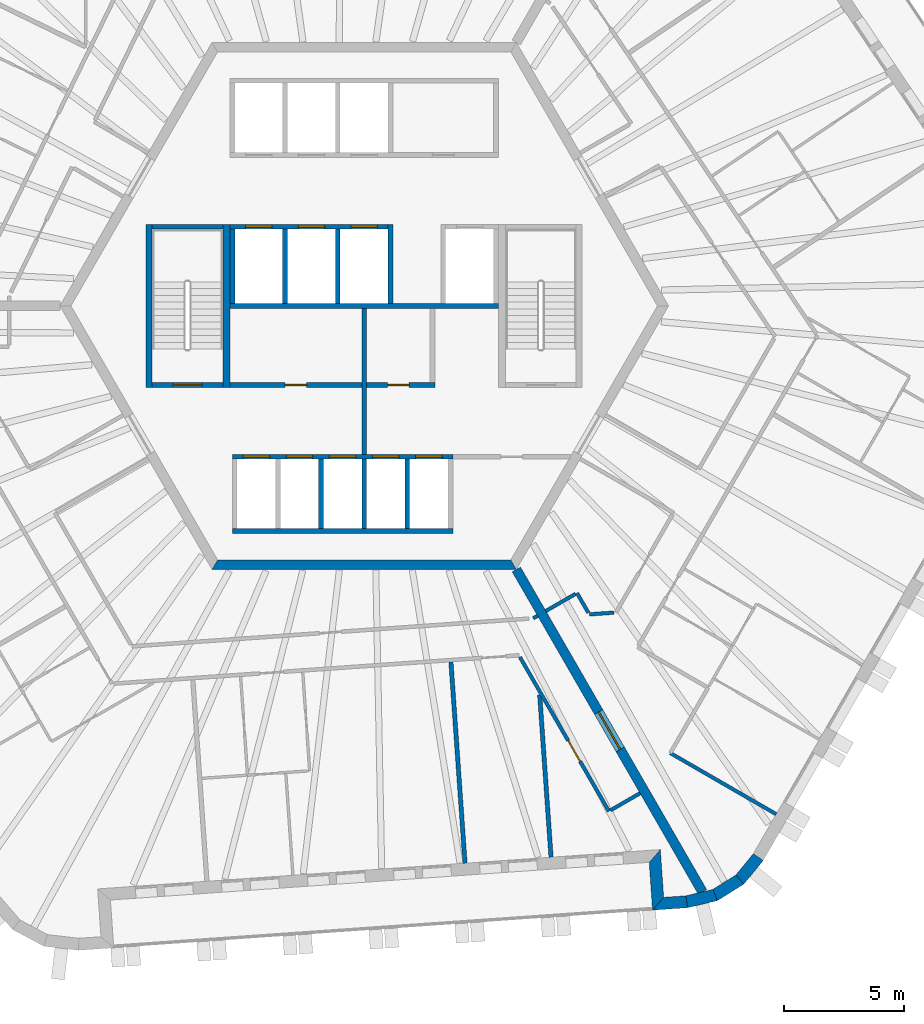
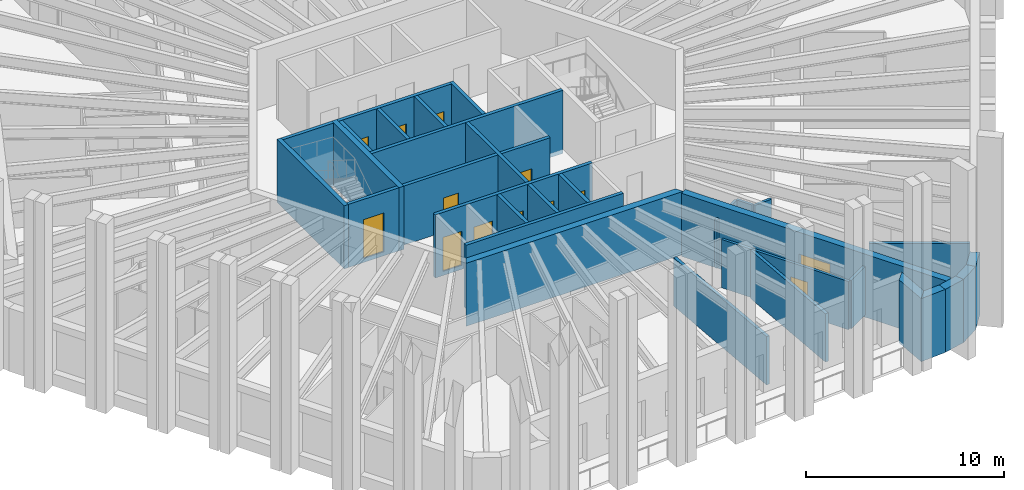
# One storey, part 5 of 13: 34 walls, 13 doors, 13 openings.
"""IFC4 building model written with IfcOpenShell, lengths in metres."""

from ifc_helpers import new_model, si_unit, direction, frame, frame_2d, origin, place, context, subcontext, project, spatial, polyline, rectangle, outline, extrude, material, layer, layer_set, type_object, element, fill, save


model = new_model("IFC4")

# Units and contexts
model_context = context("Model", 3, precision=1e-05, world=origin(), true_north=direction((0.0, 1.0)))
body_context = subcontext(model_context, "Body", "Model", "MODEL_VIEW")
ifc_project = project(units=[si_unit("LENGTHUNIT", "METRE"), si_unit("AREAUNIT", "SQUARE_METRE"), si_unit("VOLUMEUNIT", "CUBIC_METRE"), si_unit("PLANEANGLEUNIT", "RADIAN"), si_unit("MASSUNIT", "GRAM", prefix="KILO")], contexts=[model_context])

# Site, building, storey
site_placement = place(None, origin())
site = spatial("IfcSite", under=ifc_project, at=site_placement, CompositionType="ELEMENT")
building_placement = place(site_placement, origin())
building = spatial("IfcBuilding", under=site, at=building_placement, Name="Tarnside Tower", CompositionType="ELEMENT")
storey_placement = place(building_placement, frame((0.0, 0.0, 303.0)))
storey = spatial("IfcBuildingStorey", under=building, at=storey_placement, Name="L73", CompositionType="ELEMENT", Elevation=303.0)

# Wall, opening, door
ifc_material_1 = material(Name="Concrete C40/50", Category="concrete")
ifc_layer_1 = layer(ifc_material_1, 0.199951171875)
ifc_layer_set_1 = layer_set([ifc_layer_1], Name="Core room partition 200 C40/50")
wall_type_1 = type_object("IfcWallType", Name="Core room partition 200 C40/50", PredefinedType="PARTITIONING", material=ifc_layer_set_1)
wall_1_placement = place(storey_placement, frame((-5.60009765625, -3.300048828125, 0.0), z_axis=(0.0, 0.0, 1.0), x_axis=(1.0, 0.0, 0.0)))
wall_1 = element("IfcWall", 1, at=wall_1_placement, inside=storey, type_object=wall_type_1, Name="L73 core partition W3", PredefinedType="PARTITIONING", context=body_context, shape_type="SweptSolid", body=[
    extrude(rectangle(XDim=5.5, YDim=0.199951171875, at=frame_2d((2.75, 0.0))), origin(), (0.0, 0.0, 1.0), 3.64990234375),
])
opening_1_placement = place(wall_1_placement, frame((2.300048828125, 0.0, 0.0)))
opening_1 = element("IfcOpeningElement", 2, at=opening_1_placement, cuts=wall_1, Name="Opening CD-room", PredefinedType="OPENING", context=body_context, shape_type="SweptSolid", body=[
    extrude(rectangle(XDim=0.89990234375, YDim=2.10009765625, at=frame_2d((0.449951171875, 1.050048828125))), frame((0.0, 0.10986328125, 0.0), z_axis=(0.0, -1.0, 0.0), x_axis=(1.0, 0.0, 0.0)), (0.0, 0.0, 1.0), 0.219970703125),
])
ifc_material_2 = material(Name="Steel fire door", Category="steel")
door_type_1 = type_object("IfcDoorType", Name="Room door FD60 900x2100", OperationType="NOTDEFINED", PredefinedType="DOOR", material=ifc_material_2)
door_1_placement = place(opening_1_placement, origin())
door_1 = element("IfcDoor", 3, at=door_1_placement, inside=storey, type_object=door_type_1, Name="L73 core room door W3D", OperationType="SINGLE_SWING_LEFT", OverallHeight=2.10009765625, OverallWidth=0.89990234375, PredefinedType="DOOR", context=body_context, shape_type="SweptSolid", body=[
    extrude(rectangle(XDim=0.89990234375, YDim=2.10009765625, at=frame_2d((0.449951171875, 1.050048828125))), frame((0.0, 0.02490234375, 0.0), z_axis=(0.0, -1.0, 0.0), x_axis=(1.0, 0.0, 0.0)), (0.0, 0.0, 1.0), 0.050048828125),
])
fill(opening_1, door_1)

wall_2_placement = place(storey_placement, frame((0.10009765625, -3.300048828125, 0.0), z_axis=(0.0, 0.0, 1.0), x_axis=(1.0, 0.0, 0.0)))
wall_2 = element("IfcWall", 4, at=wall_2_placement, inside=storey, type_object=wall_type_1, Name="L73 core partition R3S1", PredefinedType="PARTITIONING", context=body_context, shape_type="SweptSolid", body=[
    extrude(rectangle(XDim=2.849853515625, YDim=0.199951171875, at=frame_2d((1.4248046875, 0.0))), origin(), (0.0, 0.0, 1.0), 3.64990234375),
])
opening_2_placement = place(wall_2_placement, frame((0.875, 0.0, 0.0)))
opening_2 = element("IfcOpeningElement", 5, at=opening_2_placement, cuts=wall_2, Name="Opening CD-room", PredefinedType="OPENING", context=body_context, shape_type="SweptSolid", body=[
    extrude(rectangle(XDim=0.89990234375, YDim=2.10009765625, at=frame_2d((0.449951171875, 1.050048828125))), frame((0.0, 0.10986328125, 0.0), z_axis=(0.0, -1.0, 0.0), x_axis=(1.0, 0.0, 0.0)), (0.0, 0.0, 1.0), 0.219970703125),
])
door_2_placement = place(opening_2_placement, origin())
door_2 = element("IfcDoor", 6, at=door_2_placement, inside=storey, type_object=door_type_1, Name="L73 core room door SR1", OperationType="SINGLE_SWING_LEFT", OverallHeight=2.10009765625, OverallWidth=0.89990234375, PredefinedType="DOOR", context=body_context, shape_type="SweptSolid", body=[
    extrude(rectangle(XDim=0.89990234375, YDim=2.10009765625, at=frame_2d((0.449951171875, 1.050048828125))), frame((0.0, 0.02490234375, 0.0), z_axis=(0.0, -1.0, 0.0), x_axis=(1.0, 0.0, 0.0)), (0.0, 0.0, 1.0), 0.050048828125),
])
fill(opening_2, door_2)

# Walls
wall_3_placement = place(storey_placement, frame((0.0, -6.199951171875, 0.0), z_axis=(0.0, 0.0, 1.0), x_axis=(0.0, 1.0, 0.0)))
element("IfcWall", 7, at=wall_3_placement, inside=storey, type_object=wall_type_1, Name="L73 core partition X0", PredefinedType="PARTITIONING", context=body_context, shape_type="SweptSolid", body=[
    extrude(rectangle(XDim=6.099853515625, YDim=0.199951171875, at=frame_2d((3.0498046875, 0.0))), origin(), (0.0, 0.0, 1.0), 3.64990234375),
])
ifc_material_3 = material(Name="Concrete C60/75", Category="concrete")
ifc_layer_2 = layer(ifc_material_3, 0.39990234375)
ifc_layer_set_2 = layer_set([ifc_layer_2], Name="Core wall Z3 400 C60/75")
wall_type_2 = type_object("IfcWallType", Name="Core wall Z3 400 C60/75", PredefinedType="SHEAR", material=ifc_layer_set_2)
wall_4_placement = place(storey_placement, frame((-6.2353515625, -10.800048828125, -0.14990234375), z_axis=(0.0, 0.0, 1.0), x_axis=(1.0, 0.0, 0.0)))
element("IfcWall", 8, at=wall_4_placement, inside=storey, type_object=wall_type_2, Name="L73 core wall face 4", PredefinedType="SHEAR", context=body_context, shape_type="SweptSolid", body=[
    extrude(outline(polyline([(-0.115478515625, -0.199951171875), (12.586181640625, -0.199951171875), (12.355224609375, 0.199951171875), (0.115478515625, 0.199951171875), (-0.115478515625, -0.199951171875)])), origin(), (0.0, 0.0, 1.0), 3.89990234375),
])

# Wall, opening, door
wall_5_placement = place(storey_placement, frame((6.350830078125, -11.0, -0.14990234375), z_axis=(0.0, 0.0, 1.0), x_axis=(0.499998894578, -0.866026041999, 0.0)))
wall_5 = element("IfcWall", 9, at=wall_5_placement, inside=storey, type_object=wall_type_2, Name="L73 spine wall 3", PredefinedType="SHEAR", context=body_context, shape_type="SweptSolid", body=[
    extrude(rectangle(XDim=15.54443359375, YDim=0.39990234375, at=frame_2d((7.772216796875, 0.0))), origin(), (0.0, 0.0, 1.0), 3.89990234375),
])
opening_3_placement = place(wall_5_placement, frame((6.872314453125, 0.0, 0.14990234375)))
opening_3 = element("IfcOpeningElement", 10, at=opening_3_placement, cuts=wall_5, Name="Opening CD-SPN", PredefinedType="OPENING", context=body_context, shape_type="SweptSolid", body=[
    extrude(rectangle(XDim=1.800048828125, YDim=2.39990234375, at=frame_2d((0.89990234375, 1.199951171875))), frame((0.0, 0.2099609375, 0.0), z_axis=(0.0, -1.0, 0.0), x_axis=(1.0, 0.0, 0.0)), (0.0, 0.0, 1.0), 0.419921875),
])
door_type_2 = type_object("IfcDoorType", Name="Spine passage double door FD60 1800x2400", OperationType="NOTDEFINED", PredefinedType="DOOR", material=ifc_material_2)
door_3_placement = place(opening_3_placement, origin())
door_3 = element("IfcDoor", 11, at=door_3_placement, inside=storey, type_object=door_type_2, Name="L73 spine passage door 3", OperationType="DOUBLE_DOOR_SINGLE_SWING", OverallHeight=2.39990234375, OverallWidth=1.800048828125, PredefinedType="DOOR", context=body_context, shape_type="SweptSolid", body=[
    extrude(rectangle(XDim=1.800048828125, YDim=2.39990234375, at=frame_2d((0.89990234375, 1.199951171875))), frame((0.0, 0.02490234375, 0.0), z_axis=(0.0, -1.0, 0.0), x_axis=(1.0, 0.0, 0.0)), (0.0, 0.0, 1.0), 0.050048828125),
])
fill(opening_3, door_3)

ifc_material_4 = material(Name="Gypsum board partition on steel studs", Category="steel")
ifc_layer_3 = layer(ifc_material_4, 0.14990234375)
ifc_layer_set_3 = layer_set([ifc_layer_3], Name="Corridor wall 150 EI 60")
wall_type_3 = type_object("IfcWallType", Name="Corridor wall 150 EI 60", PredefinedType="PARTITIONING", material=ifc_layer_set_3)
wall_6_placement = place(storey_placement, frame((6.49951171875, -14.6572265625, 0.0), z_axis=(0.0, 0.0, 1.0), x_axis=(0.499966098742, -0.8660449758, 0.0)))
wall_6 = element("IfcWall", 12, at=wall_6_placement, inside=storey, type_object=wall_type_3, Name="Corridor wall 24042", PredefinedType="PARTITIONING", context=body_context, shape_type="SweptSolid", body=[
    extrude(rectangle(XDim=7.4306640625, YDim=0.14990234375, at=frame_2d((3.71533203125, 0.0))), origin(), (0.0, 0.0, 1.0), 2.98779296875),
])
opening_4_placement = place(wall_6_placement, frame((4.02978515625, 0.0, 0.0)))
opening_4 = element("IfcOpeningElement", 13, at=opening_4_placement, cuts=wall_6, Name="Opening D-E1", PredefinedType="OPENING", context=body_context, shape_type="SweptSolid", body=[
    extrude(rectangle(XDim=1.0, YDim=2.10009765625, at=frame_2d((0.5, 1.050048828125))), frame((0.0, 0.0849609375, 0.0), z_axis=(0.0, -1.0, 0.0), x_axis=(1.0, 0.0, 0.0)), (0.0, 0.0, 1.0), 0.169921875),
])
ifc_material_5 = material(Name="Timber door leaf", Category="wood")
door_type_3 = type_object("IfcDoorType", Name="Unit entrance door 1000 FD30S", OperationType="NOTDEFINED", PredefinedType="DOOR", material=ifc_material_5)
door_4_placement = place(opening_4_placement, origin())
door_4 = element("IfcDoor", 14, at=door_4_placement, inside=storey, type_object=door_type_3, Name="Unit door 24042", OperationType="SINGLE_SWING_RIGHT", OverallHeight=2.10009765625, OverallWidth=1.0, PredefinedType="DOOR", context=body_context, shape_type="SweptSolid", body=[
    extrude(rectangle(XDim=1.0, YDim=2.10009765625, at=frame_2d((0.5, 1.050048828125))), frame((0.0, 0.02490234375, 0.0), z_axis=(0.0, -1.0, 0.0), x_axis=(1.0, 0.0, 0.0)), (0.0, 0.0, 1.0), 0.050048828125),
])
fill(opening_4, door_4)

# Walls
wall_7_placement = place(storey_placement, frame((10.27978515625, -21.054931640625, 0.0), z_axis=(0.0, 0.0, 1.0), x_axis=(0.866020080793, 0.500009219579, 0.0)))
element("IfcWall", 15, at=wall_7_placement, inside=storey, type_object=wall_type_3, Name="Corridor wall 24044", PredefinedType="PARTITIONING", context=body_context, shape_type="SweptSolid", body=[
    extrude(rectangle(XDim=1.4248046875, YDim=0.14990234375, at=frame_2d((0.71240234375, 0.0))), origin(), (0.0, 0.0, 1.0), 2.98779296875),
])
wall_8_placement = place(storey_placement, frame((7.23681640625, -12.9345703125, 0.0), z_axis=(0.0, 0.0, 1.0), x_axis=(-0.866088799389, -0.499890179513, 0.0)))
element("IfcWall", 16, at=wall_8_placement, inside=storey, type_object=wall_type_3, Name="Corridor wall 24050", PredefinedType="PARTITIONING", context=body_context, shape_type="SweptSolid", body=[
    extrude(rectangle(XDim=0.2099609375, YDim=0.14990234375, at=frame_2d((0.10498046875, 0.0))), origin(), (0.0, 0.0, 1.0), 2.98779296875),
])
wall_9_placement = place(storey_placement, frame((17.196044921875, -21.215576171875, 0.0), z_axis=(0.0, 0.0, 1.0), x_axis=(-0.866024511559, 0.500001545377, 0.0)))
element("IfcWall", 17, at=wall_9_placement, inside=storey, type_object=wall_type_3, Name="Corridor wall 24059", PredefinedType="PARTITIONING", context=body_context, shape_type="SweptSolid", body=[
    extrude(rectangle(XDim=5.0986328125, YDim=0.14990234375, at=frame_2d((2.54931640625, 0.0))), origin(), (0.0, 0.0, 1.0), 2.98779296875),
])
wall_10_placement = place(storey_placement, frame((10.418701171875, -12.804443359375, 0.0), z_axis=(0.0, 0.0, 1.0), x_axis=(-0.997558136861, -0.069840987838, 0.0)))
element("IfcWall", 18, at=wall_10_placement, inside=storey, type_object=wall_type_3, Name="Corridor wall 24077", PredefinedType="PARTITIONING", context=body_context, shape_type="SweptSolid", body=[
    extrude(rectangle(XDim=1.024169921875, YDim=0.14990234375, at=frame_2d((0.51220703125, 0.0))), origin(), (0.0, 0.0, 1.0), 2.98779296875),
])
wall_11_placement = place(storey_placement, frame((9.355224609375, -12.8037109375, 0.0), z_axis=(0.0, 0.0, 1.0), x_axis=(-0.499998034377, 0.866026538634, 0.0)))
element("IfcWall", 19, at=wall_11_placement, inside=storey, type_object=wall_type_3, Name="Corridor wall 24078", PredefinedType="PARTITIONING", context=body_context, shape_type="SweptSolid", body=[
    extrude(rectangle(XDim=0.94580078125, YDim=0.14990234375, at=frame_2d((0.472900390625, 0.0))), origin(), (0.0, 0.0, 1.0), 2.98779296875),
])
wall_12_placement = place(storey_placement, frame((8.8173828125, -12.022216796875, 0.0), z_axis=(0.0, 0.0, 1.0), x_axis=(-0.866062911188, -0.499935029643, 0.0)))
element("IfcWall", 20, at=wall_12_placement, inside=storey, type_object=wall_type_3, Name="Corridor wall 24079", PredefinedType="PARTITIONING", context=body_context, shape_type="SweptSolid", body=[
    extrude(rectangle(XDim=1.425048828125, YDim=0.14990234375, at=frame_2d((0.71240234375, 0.0))), origin(), (0.0, 0.0, 1.0), 2.98779296875),
])
ifc_layer_4 = layer(ifc_material_4, 0.179931640625)
ifc_layer_set_4 = layer_set([ifc_layer_4], Name="Demising wall 180 EI 60")
wall_type_4 = type_object("IfcWallType", Name="Demising wall 180 EI 60", PredefinedType="PARTITIONING", material=ifc_layer_set_4)
wall_13_placement = place(storey_placement, frame((4.208251953125, -23.26318359375, 0.0), z_axis=(0.0, 0.0, 1.0), x_axis=(-0.069749826803, 0.997564515037, 0.0)))
element("IfcWall", 21, at=wall_13_placement, inside=storey, type_object=wall_type_4, Name="Demising wall 24136", PredefinedType="PARTITIONING", context=body_context, shape_type="SweptSolid", body=[
    extrude(rectangle(XDim=8.425048828125, YDim=0.179931640625, at=frame_2d((4.21240234375, 0.0))), origin(), (0.0, 0.0, 1.0), 2.98779296875),
])
wall_14_placement = place(storey_placement, frame((7.799560546875, -23.011962890625, 0.0), z_axis=(0.0, 0.0, 1.0), x_axis=(-0.069757205717, 0.997563999075, 0.0)))
element("IfcWall", 22, at=wall_14_placement, inside=storey, type_object=wall_type_4, Name="Demising wall 24140", PredefinedType="PARTITIONING", context=body_context, shape_type="SweptSolid", body=[
    extrude(rectangle(XDim=6.789794921875, YDim=0.179931640625, at=frame_2d((3.39501953125, 0.0))), origin(), (0.0, 0.0, 1.0), 2.98779296875),
])

# Wall, openings, doors
ifc_layer_5 = layer(ifc_material_1, 0.199951171875)
ifc_layer_set_5 = layer_set([ifc_layer_5], Name="Lift shaft wall 200 C40/50")
wall_type_5 = type_object("IfcWallType", Name="Lift shaft wall 200 C40/50", PredefinedType="SHEAR", material=ifc_layer_set_5)
wall_15_placement = place(storey_placement, frame((-5.60009765625, 3.300048828125, -0.25), z_axis=(0.0, 0.0, 1.0), x_axis=(1.0, 0.0, 0.0)))
wall_15 = element("IfcWall", 23, at=wall_15_placement, inside=storey, type_object=wall_type_5, Name="L73 lift shaft front wall R2", PredefinedType="SHEAR", context=body_context, shape_type="SweptSolid", body=[
    extrude(rectangle(XDim=6.60009765625, YDim=0.199951171875, at=frame_2d((3.300048828125, 0.0))), origin(), (0.0, 0.0, 1.0), 3.89990234375),
])
opening_5_placement = place(wall_15_placement, frame((0.64990234375, 0.0, 0.25)))
opening_5 = element("IfcOpeningElement", 24, at=opening_5_placement, cuts=wall_15, Name="Opening LD", PredefinedType="OPENING", context=body_context, shape_type="SweptSolid", body=[
    extrude(rectangle(XDim=1.10009765625, YDim=2.10009765625, at=frame_2d((0.550048828125, 1.050048828125))), frame((0.0, 0.10986328125, 0.0), z_axis=(0.0, -1.0, 0.0), x_axis=(1.0, 0.0, 0.0)), (0.0, 0.0, 1.0), 0.219970703125),
])
opening_6_placement = place(wall_15_placement, frame((2.85009765625, 0.0, 0.25)))
opening_6 = element("IfcOpeningElement", 25, at=opening_6_placement, cuts=wall_15, Name="Opening LD", PredefinedType="OPENING", context=body_context, shape_type="SweptSolid", body=[
    extrude(rectangle(XDim=1.10009765625, YDim=2.10009765625, at=frame_2d((0.550048828125, 1.050048828125))), frame((0.0, 0.10986328125, 0.0), z_axis=(0.0, -1.0, 0.0), x_axis=(1.0, 0.0, 0.0)), (0.0, 0.0, 1.0), 0.219970703125),
])
opening_7_placement = place(wall_15_placement, frame((5.050048828125, 0.0, 0.25)))
opening_7 = element("IfcOpeningElement", 26, at=opening_7_placement, cuts=wall_15, Name="Opening LD", PredefinedType="OPENING", context=body_context, shape_type="SweptSolid", body=[
    extrude(rectangle(XDim=1.10009765625, YDim=2.10009765625, at=frame_2d((0.550048828125, 1.050048828125))), frame((0.0, 0.10986328125, 0.0), z_axis=(0.0, -1.0, 0.0), x_axis=(1.0, 0.0, 0.0)), (0.0, 0.0, 1.0), 0.219970703125),
])
ifc_material_6 = material(Name="Stainless steel", Category="steel")
door_type_4 = type_object("IfcDoorType", Name="Lift landing door 1100x2100", OperationType="NOTDEFINED", PredefinedType="DOOR", material=ifc_material_6)
door_5_placement = place(opening_5_placement, origin())
door_5 = element("IfcDoor", 27, at=door_5_placement, inside=storey, type_object=door_type_4, Name="High-rise lift 4 landing door L73", OperationType="SLIDING_TO_LEFT", OverallHeight=2.10009765625, OverallWidth=1.10009765625, PredefinedType="DOOR", context=body_context, shape_type="SweptSolid", body=[
    extrude(rectangle(XDim=1.10009765625, YDim=2.10009765625, at=frame_2d((0.550048828125, 1.050048828125))), frame((0.0, 0.02490234375, 0.0), z_axis=(0.0, -1.0, 0.0), x_axis=(1.0, 0.0, 0.0)), (0.0, 0.0, 1.0), 0.050048828125),
])
fill(opening_5, door_5)
door_6_placement = place(opening_6_placement, origin())
door_6 = element("IfcDoor", 28, at=door_6_placement, inside=storey, type_object=door_type_4, Name="High-rise lift 5 landing door L73", OperationType="SLIDING_TO_LEFT", OverallHeight=2.10009765625, OverallWidth=1.10009765625, PredefinedType="DOOR", context=body_context, shape_type="SweptSolid", body=[
    extrude(rectangle(XDim=1.10009765625, YDim=2.10009765625, at=frame_2d((0.550048828125, 1.050048828125))), frame((0.0, 0.02490234375, 0.0), z_axis=(0.0, -1.0, 0.0), x_axis=(1.0, 0.0, 0.0)), (0.0, 0.0, 1.0), 0.050048828125),
])
fill(opening_6, door_6)
door_7_placement = place(opening_7_placement, origin())
door_7 = element("IfcDoor", 29, at=door_7_placement, inside=storey, type_object=door_type_4, Name="High-rise lift 6 landing door L73", OperationType="SLIDING_TO_LEFT", OverallHeight=2.10009765625, OverallWidth=1.10009765625, PredefinedType="DOOR", context=body_context, shape_type="SweptSolid", body=[
    extrude(rectangle(XDim=1.10009765625, YDim=2.10009765625, at=frame_2d((0.550048828125, 1.050048828125))), frame((0.0, 0.02490234375, 0.0), z_axis=(0.0, -1.0, 0.0), x_axis=(1.0, 0.0, 0.0)), (0.0, 0.0, 1.0), 0.050048828125),
])
fill(opening_7, door_7)

# Walls
wall_16_placement = place(storey_placement, frame((-5.60009765625, 0.0, -0.25), z_axis=(0.0, 0.0, 1.0), x_axis=(1.0, 0.0, 0.0)))
element("IfcWall", 30, at=wall_16_placement, inside=storey, type_object=wall_type_5, Name="L73 lift shaft back wall R2", PredefinedType="SHEAR", context=body_context, shape_type="SweptSolid", body=[
    extrude(rectangle(XDim=11.2001953125, YDim=0.199951171875, at=frame_2d((5.60009765625, 0.0))), origin(), (0.0, 0.0, 1.0), 3.89990234375),
])
for number, where, z_axis, x_axis, name in (
    (31, (-5.5, 0.10009765625, -0.25), (0.0, 0.0, 1.0), (0.0, 1.0, 0.0), "L73 lift shaft partition R21"),
    (32, (-3.300048828125, 0.10009765625, -0.25), (0.0, 0.0, 1.0), (0.0, 1.0, 0.0), "L73 lift shaft partition R22"),
    (33, (-1.10009765625, 0.10009765625, -0.25), (0.0, 0.0, 1.0), (0.0, 1.0, 0.0), "L73 lift shaft partition R23"),
):
    element("IfcWall", number, at=place(storey_placement, frame(where, z_axis=z_axis, x_axis=x_axis)), inside=storey, type_object=wall_type_5, Name=name, PredefinedType="SHEAR", context=body_context, shape_type="SweptSolid", body=[
        extrude(rectangle(XDim=3.099853515625, YDim=0.199951171875, at=frame_2d((1.5498046875, 0.0))), origin(), (0.0, 0.0, 1.0), 3.89990234375),
    ])
wall_17_placement = place(storey_placement, frame((1.10009765625, 0.10009765625, -0.25), z_axis=(0.0, 0.0, 1.0), x_axis=(0.0, 1.0, 0.0)))
element("IfcWall", 34, at=wall_17_placement, inside=storey, type_object=wall_type_5, Name="L73 lift shaft partition R24", PredefinedType="SHEAR", context=body_context, shape_type="SweptSolid", body=[
    extrude(rectangle(XDim=3.2998046875, YDim=0.199951171875, at=frame_2d((1.64990234375, 0.0))), origin(), (0.0, 0.0, 1.0), 3.89990234375),
])

# Wall, openings, doors
wall_18_placement = place(storey_placement, frame((-5.5, -6.300048828125, -0.25), z_axis=(0.0, 0.0, 1.0), x_axis=(1.0, 0.0, 0.0)))
wall_18 = element("IfcWall", 35, at=wall_18_placement, inside=storey, type_object=wall_type_5, Name="L73 lift shaft front wall R4", PredefinedType="SHEAR", context=body_context, shape_type="SweptSolid", body=[
    extrude(rectangle(XDim=9.199951171875, YDim=0.199951171875, at=frame_2d((4.60009765625, 0.0))), origin(), (0.0, 0.0, 1.0), 3.89990234375),
])
opening_8_placement = place(wall_18_placement, frame((0.449951171875, 0.0, 0.25)))
opening_8 = element("IfcOpeningElement", 36, at=opening_8_placement, cuts=wall_18, Name="Opening LDF", PredefinedType="OPENING", context=body_context, shape_type="SweptSolid", body=[
    extrude(rectangle(XDim=1.10009765625, YDim=2.10009765625, at=frame_2d((0.550048828125, 1.050048828125))), frame((0.0, 0.10986328125, 0.0), z_axis=(0.0, -1.0, 0.0), x_axis=(1.0, 0.0, 0.0)), (0.0, 0.0, 1.0), 0.219970703125),
])
opening_9_placement = place(wall_18_placement, frame((2.25, 0.0, 0.25)))
opening_9 = element("IfcOpeningElement", 37, at=opening_9_placement, cuts=wall_18, Name="Opening LDF", PredefinedType="OPENING", context=body_context, shape_type="SweptSolid", body=[
    extrude(rectangle(XDim=1.10009765625, YDim=2.10009765625, at=frame_2d((0.550048828125, 1.050048828125))), frame((0.0, 0.10986328125, 0.0), z_axis=(0.0, -1.0, 0.0), x_axis=(1.0, 0.0, 0.0)), (0.0, 0.0, 1.0), 0.219970703125),
])
opening_10_placement = place(wall_18_placement, frame((4.050048828125, 0.0, 0.25)))
opening_10 = element("IfcOpeningElement", 38, at=opening_10_placement, cuts=wall_18, Name="Opening LDF", PredefinedType="OPENING", context=body_context, shape_type="SweptSolid", body=[
    extrude(rectangle(XDim=1.10009765625, YDim=2.10009765625, at=frame_2d((0.550048828125, 1.050048828125))), frame((0.0, 0.10986328125, 0.0), z_axis=(0.0, -1.0, 0.0), x_axis=(1.0, 0.0, 0.0)), (0.0, 0.0, 1.0), 0.219970703125),
])
opening_11_placement = place(wall_18_placement, frame((5.85009765625, 0.0, 0.25)))
opening_11 = element("IfcOpeningElement", 39, at=opening_11_placement, cuts=wall_18, Name="Opening LDF", PredefinedType="OPENING", context=body_context, shape_type="SweptSolid", body=[
    extrude(rectangle(XDim=1.10009765625, YDim=2.10009765625, at=frame_2d((0.550048828125, 1.050048828125))), frame((0.0, 0.10986328125, 0.0), z_axis=(0.0, -1.0, 0.0), x_axis=(1.0, 0.0, 0.0)), (0.0, 0.0, 1.0), 0.219970703125),
])
opening_12_placement = place(wall_18_placement, frame((7.64990234375, 0.0, 0.25)))
opening_12 = element("IfcOpeningElement", 40, at=opening_12_placement, cuts=wall_18, Name="Opening LDF", PredefinedType="OPENING", context=body_context, shape_type="SweptSolid", body=[
    extrude(rectangle(XDim=1.10009765625, YDim=2.10009765625, at=frame_2d((0.550048828125, 1.050048828125))), frame((0.0, 0.10986328125, 0.0), z_axis=(0.0, -1.0, 0.0), x_axis=(1.0, 0.0, 0.0)), (0.0, 0.0, 1.0), 0.219970703125),
])
door_type_5 = type_object("IfcDoorType", Name="Lift landing door 1100x2100 EI 120", OperationType="NOTDEFINED", PredefinedType="DOOR", material=ifc_material_6)
door_8_placement = place(opening_8_placement, origin())
door_8 = element("IfcDoor", 41, at=door_8_placement, inside=storey, type_object=door_type_5, Name="Firefighting lift 1 landing door L73", OperationType="SLIDING_TO_LEFT", OverallHeight=2.10009765625, OverallWidth=1.10009765625, PredefinedType="DOOR", context=body_context, shape_type="SweptSolid", body=[
    extrude(rectangle(XDim=1.10009765625, YDim=2.10009765625, at=frame_2d((0.550048828125, 1.050048828125))), frame((0.0, 0.02490234375, 0.0), z_axis=(0.0, -1.0, 0.0), x_axis=(1.0, 0.0, 0.0)), (0.0, 0.0, 1.0), 0.050048828125),
])
fill(opening_8, door_8)
door_9_placement = place(opening_9_placement, origin())
door_9 = element("IfcDoor", 42, at=door_9_placement, inside=storey, type_object=door_type_5, Name="Firefighting lift 2 landing door L73", OperationType="SLIDING_TO_LEFT", OverallHeight=2.10009765625, OverallWidth=1.10009765625, PredefinedType="DOOR", context=body_context, shape_type="SweptSolid", body=[
    extrude(rectangle(XDim=1.10009765625, YDim=2.10009765625, at=frame_2d((0.550048828125, 1.050048828125))), frame((0.0, 0.02490234375, 0.0), z_axis=(0.0, -1.0, 0.0), x_axis=(1.0, 0.0, 0.0)), (0.0, 0.0, 1.0), 0.050048828125),
])
fill(opening_9, door_9)
door_10_placement = place(opening_10_placement, origin())
door_10 = element("IfcDoor", 43, at=door_10_placement, inside=storey, type_object=door_type_5, Name="Firefighting lift 3 landing door L73", OperationType="SLIDING_TO_LEFT", OverallHeight=2.10009765625, OverallWidth=1.10009765625, PredefinedType="DOOR", context=body_context, shape_type="SweptSolid", body=[
    extrude(rectangle(XDim=1.10009765625, YDim=2.10009765625, at=frame_2d((0.550048828125, 1.050048828125))), frame((0.0, 0.02490234375, 0.0), z_axis=(0.0, -1.0, 0.0), x_axis=(1.0, 0.0, 0.0)), (0.0, 0.0, 1.0), 0.050048828125),
])
fill(opening_10, door_10)
door_11_placement = place(opening_11_placement, origin())
door_11 = element("IfcDoor", 44, at=door_11_placement, inside=storey, type_object=door_type_5, Name="Firefighting lift 4 landing door L73", OperationType="SLIDING_TO_LEFT", OverallHeight=2.10009765625, OverallWidth=1.10009765625, PredefinedType="DOOR", context=body_context, shape_type="SweptSolid", body=[
    extrude(rectangle(XDim=1.10009765625, YDim=2.10009765625, at=frame_2d((0.550048828125, 1.050048828125))), frame((0.0, 0.02490234375, 0.0), z_axis=(0.0, -1.0, 0.0), x_axis=(1.0, 0.0, 0.0)), (0.0, 0.0, 1.0), 0.050048828125),
])
fill(opening_11, door_11)
door_12_placement = place(opening_12_placement, origin())
door_12 = element("IfcDoor", 45, at=door_12_placement, inside=storey, type_object=door_type_5, Name="Firefighting lift 5 landing door L73", OperationType="SLIDING_TO_LEFT", OverallHeight=2.10009765625, OverallWidth=1.10009765625, PredefinedType="DOOR", context=body_context, shape_type="SweptSolid", body=[
    extrude(rectangle(XDim=1.10009765625, YDim=2.10009765625, at=frame_2d((0.550048828125, 1.050048828125))), frame((0.0, 0.02490234375, 0.0), z_axis=(0.0, -1.0, 0.0), x_axis=(1.0, 0.0, 0.0)), (0.0, 0.0, 1.0), 0.050048828125),
])
fill(opening_12, door_12)

# Walls
wall_19_placement = place(storey_placement, frame((-5.5, -9.39990234375, -0.25), z_axis=(0.0, 0.0, 1.0), x_axis=(1.0, 0.0, 0.0)))
element("IfcWall", 46, at=wall_19_placement, inside=storey, type_object=wall_type_5, Name="L73 lift shaft back wall R4", PredefinedType="SHEAR", context=body_context, shape_type="SweptSolid", body=[
    extrude(rectangle(XDim=9.199951171875, YDim=0.199951171875, at=frame_2d((4.60009765625, 0.0))), origin(), (0.0, 0.0, 1.0), 3.89990234375),
])
for number, where, z_axis, x_axis, name in (
    (47, (-1.800048828125, -9.300048828125, -0.25), (0.0, 0.0, 1.0), (0.0, 1.0, 0.0), "L73 lift shaft partition R43"),
    (48, (0.0, -9.300048828125, -0.25), (0.0, 0.0, 1.0), (0.0, 1.0, 0.0), "L73 lift shaft partition R44"),
    (49, (1.800048828125, -9.300048828125, -0.25), (0.0, 0.0, 1.0), (0.0, 1.0, 0.0), "L73 lift shaft partition R45"),
):
    element("IfcWall", number, at=place(storey_placement, frame(where, z_axis=z_axis, x_axis=x_axis)), inside=storey, type_object=wall_type_5, Name=name, PredefinedType="SHEAR", context=body_context, shape_type="SweptSolid", body=[
        extrude(rectangle(XDim=2.900146484375, YDim=0.199951171875, at=frame_2d((1.4501953125, 0.0))), origin(), (0.0, 0.0, 1.0), 3.89990234375),
    ])
wall_20_placement = place(storey_placement, frame((-8.85009765625, 3.300048828125, -0.25), z_axis=(0.0, 0.0, 1.0), x_axis=(1.0, 0.0, 0.0)))
element("IfcWall", 50, at=wall_20_placement, inside=storey, type_object=wall_type_5, Name="L73 stair 2 enclosure cap wall n", PredefinedType="SHEAR", context=body_context, shape_type="SweptSolid", body=[
    extrude(rectangle(XDim=2.9501953125, YDim=0.199951171875, at=frame_2d((1.47509765625, 0.0))), origin(), (0.0, 0.0, 1.0), 3.89990234375),
])

# Wall, opening, door
wall_21_placement = place(storey_placement, frame((-8.85009765625, -3.300048828125, -0.25), z_axis=(0.0, 0.0, 1.0), x_axis=(1.0, 0.0, 0.0)))
wall_21 = element("IfcWall", 51, at=wall_21_placement, inside=storey, type_object=wall_type_5, Name="L73 stair 2 enclosure cap wall s", PredefinedType="SHEAR", context=body_context, shape_type="SweptSolid", body=[
    extrude(rectangle(XDim=2.9501953125, YDim=0.199951171875, at=frame_2d((1.47509765625, 0.0))), origin(), (0.0, 0.0, 1.0), 3.89990234375),
])
opening_13_placement = place(wall_21_placement, frame((0.875, 0.0, 0.25)))
opening_13 = element("IfcOpeningElement", 52, at=opening_13_placement, cuts=wall_21, Name="Opening CD-STR", PredefinedType="OPENING", context=body_context, shape_type="SweptSolid", body=[
    extrude(rectangle(XDim=1.199951171875, YDim=2.39990234375, at=frame_2d((0.60009765625, 1.199951171875))), frame((0.0, 0.10986328125, 0.0), z_axis=(0.0, -1.0, 0.0), x_axis=(1.0, 0.0, 0.0)), (0.0, 0.0, 1.0), 0.219970703125),
])
door_type_6 = type_object("IfcDoorType", Name="Stair door FD60S 1200x2400", OperationType="NOTDEFINED", PredefinedType="DOOR", material=ifc_material_2)
door_13_placement = place(opening_13_placement, origin())
door_13 = element("IfcDoor", 53, at=door_13_placement, inside=storey, type_object=door_type_6, Name="L73 stair 2 door", OperationType="SINGLE_SWING_LEFT", OverallHeight=2.39990234375, OverallWidth=1.199951171875, PredefinedType="DOOR", context=body_context, shape_type="SweptSolid", body=[
    extrude(rectangle(XDim=1.199951171875, YDim=2.39990234375, at=frame_2d((0.60009765625, 1.199951171875))), frame((0.0, 0.02490234375, 0.0), z_axis=(0.0, -1.0, 0.0), x_axis=(1.0, 0.0, 0.0)), (0.0, 0.0, 1.0), 0.050048828125),
])
fill(opening_13, door_13)

# Walls
ifc_material_7 = material(Name="Dark zinc cladding")
ifc_layer_6 = layer(ifc_material_7, 0.10205078125)
ifc_material_8 = material(Name="Concrete C60/75 precast", Category="concrete")
ifc_layer_7 = layer(ifc_material_8, 0.298095703125)
ifc_material_9 = material(Name="Mineral wool insulation")
ifc_layer_8 = layer(ifc_material_9, 0.10009765625)
ifc_layer_set_6 = layer_set([ifc_layer_6, ifc_layer_7, ifc_layer_8], Name="Loggia wall 500 zinc faced")
wall_type_6 = type_object("IfcWallType", Name="Loggia wall 500 zinc faced", PredefinedType="SOLIDWALL", material=ifc_layer_set_6)
wall_22_placement = place(storey_placement, frame((12.128662109375, -22.9599609375, -0.14990234375), z_axis=(0.0, 0.0, 1.0), x_axis=(0.069824268692, -0.99755930726, 0.0)))
element("IfcWall", 54, at=wall_22_placement, inside=storey, type_object=wall_type_6, Name="Tube wall L73 F4 return 19", PredefinedType="SOLIDWALL", context=body_context, shape_type="SweptSolid", body=[
    extrude(outline(polyline([(0.25, -0.25), (2.25, -0.25), (1.75, 0.25), (-0.25, 0.25), (0.25, -0.25)])), origin(), (0.0, 0.0, 1.0), 3.89990234375),
])
wall_23_placement = place(storey_placement, frame((12.268310546875, -24.955078125, -0.14990234375), z_axis=(0.0, 0.0, 1.0), x_axis=(0.997561942506, 0.06978660948, 0.0)))
element("IfcWall", 55, at=wall_23_placement, inside=storey, type_object=wall_type_6, Name="Tube wall L73 F4 stub 20", PredefinedType="SOLIDWALL", context=body_context, shape_type="SweptSolid", body=[
    extrude(outline(polyline([(-0.25, -0.25), (1.220458984375, -0.25), (1.179443359375, 0.25), (0.25, 0.25), (-0.25, -0.25)])), origin(), (0.0, 0.0, 1.0), 3.89990234375),
])
ifc_layer_9 = layer(ifc_material_1, 0.25)
ifc_layer_set_7 = layer_set([ifc_layer_9], Name="Stair enclosure wall 250 C40/50")
wall_type_7 = type_object("IfcWallType", Name="Stair enclosure wall 250 C40/50", PredefinedType="SHEAR", material=ifc_layer_set_7)
wall_24_placement = place(storey_placement, frame((-8.97509765625, -3.39990234375, -0.25), z_axis=(0.0, 0.0, 1.0), x_axis=(0.0, 1.0, 0.0)))
element("IfcWall", 56, at=wall_24_placement, inside=storey, type_object=wall_type_7, Name="L73 stair 2 enclosure wall outer", PredefinedType="SHEAR", context=body_context, shape_type="SweptSolid", body=[
    extrude(rectangle(XDim=6.7998046875, YDim=0.25, at=frame_2d((3.39990234375, 0.0))), origin(), (0.0, 0.0, 1.0), 3.89990234375),
])
ifc_layer_10 = layer(ifc_material_1, 0.300048828125)
ifc_layer_set_8 = layer_set([ifc_layer_10], Name="Stair enclosure wall 300 C40/50")
wall_type_8 = type_object("IfcWallType", Name="Stair enclosure wall 300 C40/50", PredefinedType="SHEAR", material=ifc_layer_set_8)
wall_25_placement = place(storey_placement, frame((-5.75, -3.39990234375, -0.25), z_axis=(0.0, 0.0, 1.0), x_axis=(0.0, 1.0, 0.0)))
element("IfcWall", 57, at=wall_25_placement, inside=storey, type_object=wall_type_8, Name="L73 stair 2 enclosure wall inner", PredefinedType="SHEAR", context=body_context, shape_type="SweptSolid", body=[
    extrude(rectangle(XDim=6.7998046875, YDim=0.300048828125, at=frame_2d((3.39990234375, 0.0))), origin(), (0.0, 0.0, 1.0), 3.89990234375),
])
ifc_material_10 = material(Name="Facing brick", Category="masonry")
ifc_layer_11 = layer(ifc_material_10, 0.10205078125)
ifc_layer_12 = layer(ifc_material_8, 0.298095703125)
ifc_layer_13 = layer(ifc_material_9, 0.10009765625)
ifc_layer_set_9 = layer_set([ifc_layer_11, ifc_layer_12, ifc_layer_13], Name="Tube wall 500 brick faced")
wall_type_9 = type_object("IfcWallType", Name="Tube wall 500 brick faced", PredefinedType="SOLIDWALL", material=ifc_layer_set_9)
wall_26_placement = place(storey_placement, frame((13.46533203125, -24.871337890625, -0.14990234375), z_axis=(0.0, 0.0, 1.0), x_axis=(0.973044740285, 0.230616420501, 0.0)))
element("IfcWall", 58, at=wall_26_placement, inside=storey, type_object=wall_type_9, Name="Tube wall L73 F4 chord 21", PredefinedType="SOLIDWALL", context=body_context, shape_type="SweptSolid", body=[
    extrude(outline(polyline([(-0.0205078125, -0.25), (1.25732421875, -0.25), (1.17529296875, 0.25), (0.0205078125, 0.25), (-0.0205078125, -0.25)])), origin(), (0.0, 0.0, 1.0), 3.89990234375),
])
wall_27_placement = place(storey_placement, frame((14.64892578125, -24.5908203125, -0.14990234375), z_axis=(0.0, 0.0, 1.0), x_axis=(0.848054682072, 0.529908724419, 0.0)))
element("IfcWall", 59, at=wall_27_placement, inside=storey, type_object=wall_type_9, Name="Tube wall L73 F4 chord 22", PredefinedType="SOLIDWALL", context=body_context, shape_type="SweptSolid", body=[
    extrude(outline(polyline([(-0.041015625, -0.25), (1.25732421875, -0.25), (1.17529296875, 0.25), (0.041015625, 0.25), (-0.041015625, -0.25)])), origin(), (0.0, 0.0, 1.0), 3.89990234375),
])
wall_28_placement = place(storey_placement, frame((15.680419921875, -23.9462890625, -0.14990234375), z_axis=(0.0, 0.0, 1.0), x_axis=(0.633805934167, 0.773492105852, 0.0)))
element("IfcWall", 60, at=wall_28_placement, inside=storey, type_object=wall_type_9, Name="Tube wall L73 F4 chord 23", PredefinedType="SOLIDWALL", context=body_context, shape_type="SweptSolid", body=[
    extrude(outline(polyline([(-0.041015625, -0.25), (1.237060546875, -0.25), (1.196044921875, 0.25), (0.041015625, 0.25), (-0.041015625, -0.25)])), origin(), (0.0, 0.0, 1.0), 3.89990234375),
])

save(model, "model.ifc")
